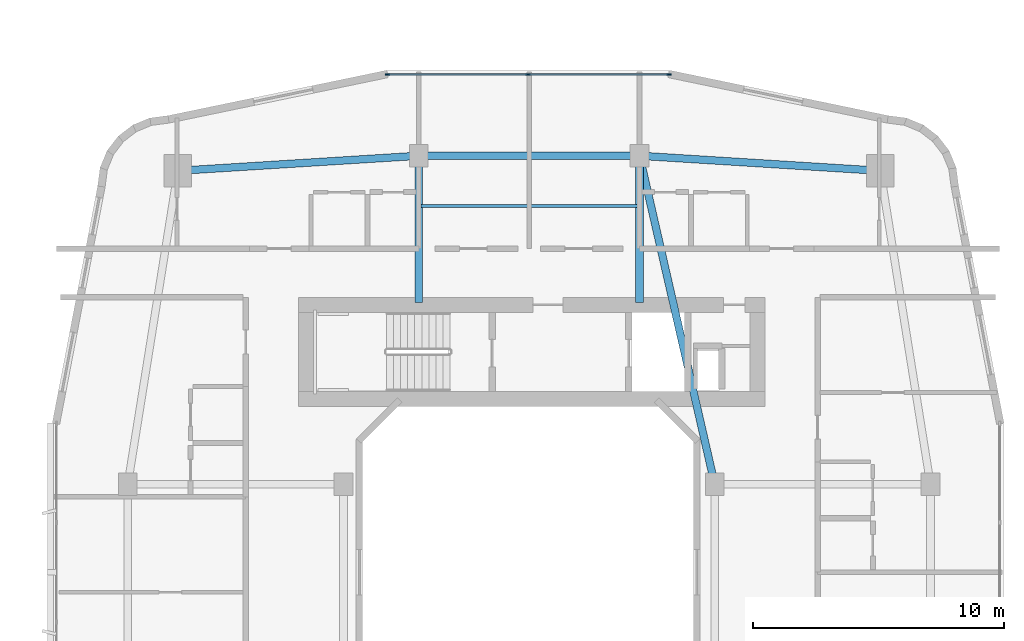
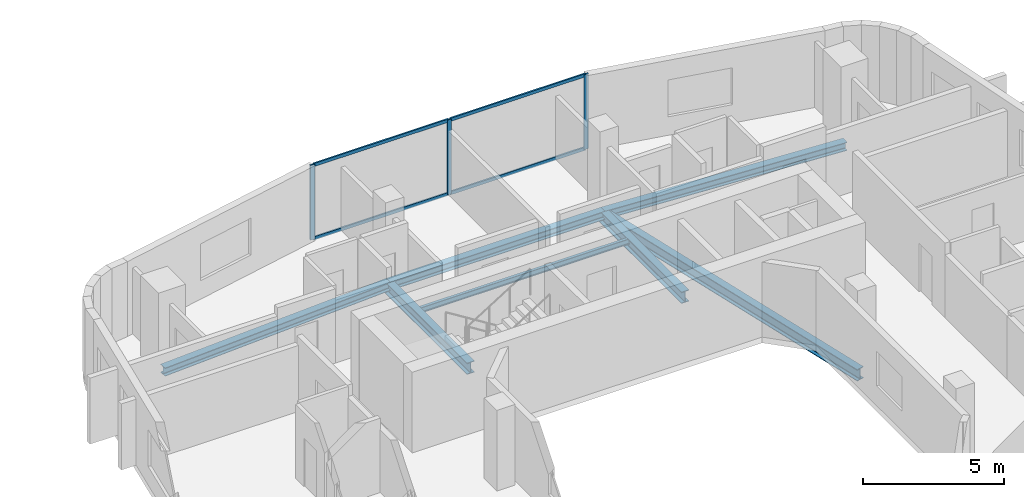
# One storey, part 11 of 26: 7 beams, 7 members, 1 element without a shape of its own.
"""IFC4 building model written with IfcOpenShell, lengths in metres."""

from ifc_helpers import new_model, si_unit, derived_unit, direction, frame, origin, origin_2d, place, context, subcontext, project, spatial, rectangle, i_section, extrude, material, layer, layer_set, material_profile, profile_set, type_object, element, aggregate, save


model = new_model("IFC4")

# Units and contexts
model_context = context("Model", 3, precision=1e-05, world=origin(), true_north=direction((0.0, 1.0)))
body_context = subcontext(model_context, "Body", "Model", "MODEL_VIEW")
ifc_project = project(units=[si_unit("LENGTHUNIT", "METRE"), si_unit("AREAUNIT", "SQUARE_METRE"), si_unit("VOLUMEUNIT", "CUBIC_METRE"), si_unit("PLANEANGLEUNIT", "RADIAN"), si_unit("MASSUNIT", "GRAM", prefix="KILO"), derived_unit("THERMALTRANSMITTANCEUNIT", [(si_unit("POWERUNIT", "WATT"), 1), (si_unit("LENGTHUNIT", "METRE"), -2), (si_unit("THERMODYNAMICTEMPERATUREUNIT", "KELVIN"), -1)])], contexts=[model_context])

# Site, building, storey
site_placement = place(None, origin())
site = spatial("IfcSite", under=ifc_project, at=site_placement, CompositionType="ELEMENT")
building_placement = place(site_placement, origin())
building = spatial("IfcBuilding", under=site, at=building_placement, Name="Kivonza Crest Hotel", CompositionType="ELEMENT")
storey_placement = place(building_placement, frame((0.0, 0.0, 52.0)))
storey = spatial("IfcBuildingStorey", under=building, at=storey_placement, Name="L13", CompositionType="ELEMENT", Elevation=52.0)

# Beams
ifc_material_1 = material(Name="Steel S355", Category="steel")
ifc_material_profile_1 = material_profile(ifc_material_1, i_section(OverallWidth=0.300048828125, OverallDepth=0.360107421875, WebThickness=0.012451171875, FlangeThickness=0.0224609375, FilletRadius=0.027099609375, at=origin_2d()), Name="HEB 360")
ifc_profile_set_1 = profile_set([ifc_material_profile_1], Name="Steel S355")
beam_type_1 = type_object("IfcBeamType", Name="BM-HEB360", PredefinedType="SPANDREL", material=ifc_profile_set_1)
beam_1_placement = place(storey_placement, frame((91.0, 41.0, -0.429931640625), z_axis=(-0.998051985873, 0.062387767186, 0.0), x_axis=(-0.062387767186, -0.998051985873, 0.0)))
element("IfcBeam", 1, at=beam_1_placement, inside=storey, type_object=beam_type_1, Name="Companion Tower T2 L13 perimeter spandrel NE-N2", PredefinedType="SPANDREL", context=body_context, shape_type="SweptSolid", body=[
    extrude(i_section(OverallWidth=0.300048828125, OverallDepth=0.360107421875, WebThickness=0.012451171875, FlangeThickness=0.0224609375, FilletRadius=0.027099609375, at=origin_2d()), origin(), (0.0, 0.0, 1.0), 9.618896484375),
])
beam_2_placement = place(storey_placement, frame((81.39990234375, 41.60009765625, -0.429931640625), z_axis=(-1.0, 0.0, 0.0), x_axis=(0.0, -1.0, 0.0)))
element("IfcBeam", 2, at=beam_2_placement, inside=storey, type_object=beam_type_1, Name="Companion Tower T2 L13 perimeter spandrel N2-N1", PredefinedType="SPANDREL", context=body_context, shape_type="SweptSolid", body=[
    extrude(i_section(OverallWidth=0.300048828125, OverallDepth=0.360107421875, WebThickness=0.012451171875, FlangeThickness=0.0224609375, FilletRadius=0.027099609375, at=origin_2d()), origin(), (0.0, 0.0, 1.0), 8.7998046875),
])
beam_3_placement = place(storey_placement, frame((72.60009765625, 41.60009765625, -0.429931640625), z_axis=(-0.998051985873, -0.062387767186, 0.0), x_axis=(0.062387767186, -0.998051985873, 0.0)))
element("IfcBeam", 3, at=beam_3_placement, inside=storey, type_object=beam_type_1, Name="Companion Tower T2 L13 perimeter spandrel N1-NW", PredefinedType="SPANDREL", context=body_context, shape_type="SweptSolid", body=[
    extrude(i_section(OverallWidth=0.300048828125, OverallDepth=0.360107421875, WebThickness=0.012451171875, FlangeThickness=0.0224609375, FilletRadius=0.027099609375, at=origin_2d()), origin(), (0.0, 0.0, 1.0), 9.618896484375),
])
ifc_material_profile_2 = material_profile(ifc_material_1, i_section(OverallWidth=0.300048828125, OverallDepth=0.5, WebThickness=0.014404296875, FlangeThickness=0.028076171875, FilletRadius=0.027099609375, at=origin_2d()), Name="HEB 500")
ifc_profile_set_2 = profile_set([ifc_material_profile_2], Name="Steel S355")
beam_type_2 = type_object("IfcBeamType", Name="BM-HEB500", PredefinedType="BEAM", material=ifc_profile_set_2)
beam_4_placement = place(storey_placement, frame((84.39990234375, 28.5, -0.5), z_axis=(-0.223227287589, 0.974766422317, 0.0), x_axis=(-0.974766422317, -0.223227287589, 0.0)))
element("IfcBeam", 4, at=beam_4_placement, inside=storey, type_object=beam_type_2, Name="Companion Tower T2 L13 girder WR2-N2", PredefinedType="BEAM", context=body_context, shape_type="SweptSolid", body=[
    extrude(i_section(OverallWidth=0.300048828125, OverallDepth=0.5, WebThickness=0.014404296875, FlangeThickness=0.028076171875, FilletRadius=0.027099609375, at=origin_2d()), origin(), (0.0, 0.0, 1.0), 13.439208984375),
])
for number, where, z_axis, x_axis, name in (
    (5, (72.60009765625, 41.60009765625, -0.5), (0.0, -1.0, 0.0), (1.0, 0.0, 0.0), "Companion T2 L13 radial core girder RN1"),
    (6, (81.39990234375, 41.60009765625, -0.5), (0.0, -1.0, 0.0), (1.0, 0.0, 0.0), "Companion T2 L13 radial core girder RN2"),
):
    element("IfcBeam", number, at=place(storey_placement, frame(where, z_axis=z_axis, x_axis=x_axis)), inside=storey, type_object=beam_type_2, Name=name, PredefinedType="BEAM", context=body_context, shape_type="SweptSolid", body=[
        extrude(i_section(OverallWidth=0.300048828125, OverallDepth=0.5, WebThickness=0.014404296875, FlangeThickness=0.028076171875, FilletRadius=0.027099609375, at=origin_2d()), origin(), (0.0, 0.0, 1.0), 5.85009765625),
    ])
ifc_material_profile_3 = material_profile(ifc_material_1, i_section(OverallWidth=0.1201171875, OverallDepth=0.239990234375, WebThickness=0.006103515625, FlangeThickness=0.009765625, FilletRadius=0.014892578125, at=origin_2d()), Name="IPE 240")
ifc_profile_set_3 = profile_set([ifc_material_profile_3], Name="Steel S355")
beam_type_3 = type_object("IfcBeamType", Name="BM-IPE240", PredefinedType="JOIST", material=ifc_profile_set_3)
beam_5_placement = place(storey_placement, frame((72.679931640625, 39.60009765625, -0.3701171875), z_axis=(1.0, 0.0, 0.0), x_axis=(0.0, 1.0, 0.0)))
element("IfcBeam", 7, at=beam_5_placement, inside=storey, type_object=beam_type_3, Name="Companion Tower T2 L13 North floor joist", PredefinedType="JOIST", context=body_context, shape_type="SweptSolid", body=[
    extrude(i_section(OverallWidth=0.1201171875, OverallDepth=0.239990234375, WebThickness=0.006103515625, FlangeThickness=0.009765625, FilletRadius=0.014892578125, at=origin_2d()), origin(), (0.0, 0.0, 1.0), 8.64013671875),
])

# Curtain wall, members
ifc_material_2 = material(Name="Anodised bronze aluminium and low-E double glazing", Category="aluminium")
ifc_layer = layer(ifc_material_2, 0.179931640625)
ifc_layer_set = layer_set([ifc_layer], Name="Anodised bronze aluminium and low-E double glazing")
curtain_wall_type = type_object("IfcCurtainWallType", Name="CW-SYS-4", PredefinedType="NOTDEFINED", material=ifc_layer_set)
curtain_wall_placement = place(storey_placement, origin())
curtain_wall = element("IfcCurtainWall", 8, at=curtain_wall_placement, inside=storey, type_object=curtain_wall_type, Name="L13 unitised curtain wall CW-T2-L13-26", PredefinedType="NOTDEFINED")
ifc_material_3 = material(Name="Anodised bronze aluminium", Category="aluminium")
ifc_material_profile_4 = material_profile(ifc_material_3, rectangle(XDim=0.06494140625, YDim=0.179931640625, at=origin_2d()), Name="CW-M 65x180")
ifc_profile_set_4 = profile_set([ifc_material_profile_4], Name="Anodised bronze aluminium")
member_type_1 = type_object("IfcMemberType", Name="CW-MUL-65x180", PredefinedType="MULLION", material=ifc_profile_set_4)
member_1_placement = place(storey_placement, frame((82.575439453125, 44.840087890625, 0.0), z_axis=(0.0, 0.0, 1.0), x_axis=(0.0, -1.0, 0.0)))
member_1 = element("IfcMember", 9, at=member_1_placement, type_object=member_type_1, Name="CW-4 mullion 1", PredefinedType="MULLION", context=body_context, shape_type="SweptSolid", body=[
    extrude(rectangle(XDim=0.06494140625, YDim=0.179931640625, at=origin_2d()), origin(), (0.0, 0.0, 1.0), 3.25),
])
member_2_placement = place(storey_placement, frame((76.9599609375, 44.840087890625, 0.0), z_axis=(0.0, 0.0, 1.0), x_axis=(0.0, -1.0, 0.0)))
member_2 = element("IfcMember", 10, at=member_2_placement, type_object=member_type_1, Name="CW-4 mullion 2", PredefinedType="MULLION", context=body_context, shape_type="SweptSolid", body=[
    extrude(rectangle(XDim=0.06494140625, YDim=0.179931640625, at=origin_2d()), origin(), (0.0, 0.0, 1.0), 3.25),
])
member_3_placement = place(storey_placement, frame((71.344482421875, 44.840087890625, 0.0), z_axis=(0.0, 0.0, 1.0), x_axis=(0.0, -1.0, 0.0)))
member_3 = element("IfcMember", 11, at=member_3_placement, type_object=member_type_1, Name="CW-4 mullion 3", PredefinedType="MULLION", context=body_context, shape_type="SweptSolid", body=[
    extrude(rectangle(XDim=0.06494140625, YDim=0.179931640625, at=origin_2d()), origin(), (0.0, 0.0, 1.0), 3.25),
])
ifc_material_profile_5 = material_profile(ifc_material_3, rectangle(XDim=0.06494140625, YDim=0.139892578125, at=origin_2d()), Name="CW-T 65x140")
ifc_profile_set_5 = profile_set([ifc_material_profile_5], Name="Anodised bronze aluminium")
member_type_2 = type_object("IfcMemberType", Name="CW-TRN-65x140", PredefinedType="USERDEFINED", material=ifc_profile_set_5)
member_4_placement = place(storey_placement, frame((82.54296875, 44.840087890625, 0.032470703125), z_axis=(-1.0, 0.0, 0.0), x_axis=(0.0, -1.0, 0.0)))
member_4 = element("IfcMember", 12, at=member_4_placement, type_object=member_type_2, Name="CW-4 transom 1.1", ObjectType="TRANSOM", PredefinedType="USERDEFINED", context=body_context, shape_type="SweptSolid", body=[
    extrude(rectangle(XDim=0.06494140625, YDim=0.139892578125, at=origin_2d()), origin(), (0.0, 0.0, 1.0), 5.550537109375),
])
member_5_placement = place(storey_placement, frame((82.54296875, 44.840087890625, 3.217529296875), z_axis=(-1.0, 0.0, 0.0), x_axis=(0.0, -1.0, 0.0)))
member_5 = element("IfcMember", 13, at=member_5_placement, type_object=member_type_2, Name="CW-4 transom 1.2", ObjectType="TRANSOM", PredefinedType="USERDEFINED", context=body_context, shape_type="SweptSolid", body=[
    extrude(rectangle(XDim=0.06494140625, YDim=0.139892578125, at=origin_2d()), origin(), (0.0, 0.0, 1.0), 5.550537109375),
])
member_6_placement = place(storey_placement, frame((76.927490234375, 44.840087890625, 0.032470703125), z_axis=(-1.0, 0.0, 0.0), x_axis=(0.0, -1.0, 0.0)))
member_6 = element("IfcMember", 14, at=member_6_placement, type_object=member_type_2, Name="CW-4 transom 2.1", ObjectType="TRANSOM", PredefinedType="USERDEFINED", context=body_context, shape_type="SweptSolid", body=[
    extrude(rectangle(XDim=0.06494140625, YDim=0.139892578125, at=origin_2d()), origin(), (0.0, 0.0, 1.0), 5.550537109375),
])
member_7_placement = place(storey_placement, frame((76.927490234375, 44.840087890625, 3.217529296875), z_axis=(-1.0, 0.0, 0.0), x_axis=(0.0, -1.0, 0.0)))
member_7 = element("IfcMember", 15, at=member_7_placement, type_object=member_type_2, Name="CW-4 transom 2.2", ObjectType="TRANSOM", PredefinedType="USERDEFINED", context=body_context, shape_type="SweptSolid", body=[
    extrude(rectangle(XDim=0.06494140625, YDim=0.139892578125, at=origin_2d()), origin(), (0.0, 0.0, 1.0), 5.550537109375),
])
aggregate(curtain_wall, [member_1, member_2, member_3, member_4, member_5, member_6, member_7])

save(model, "model.ifc")
